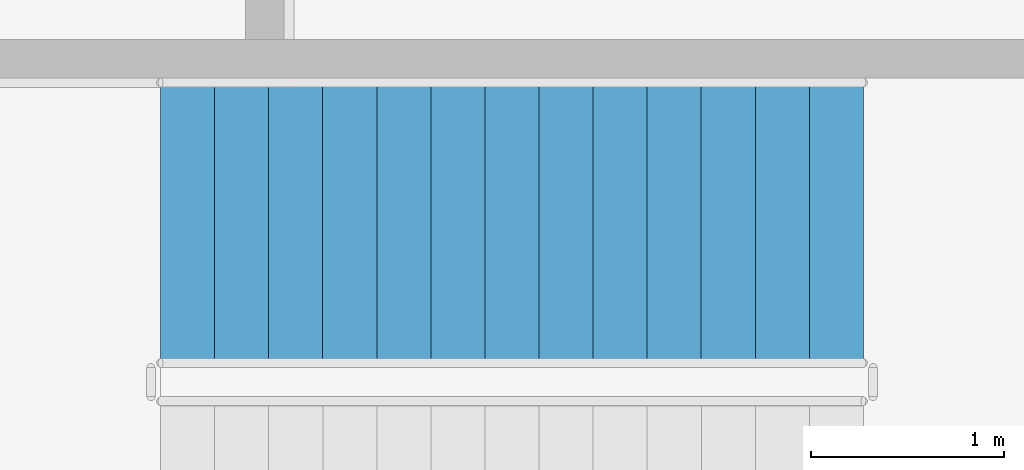
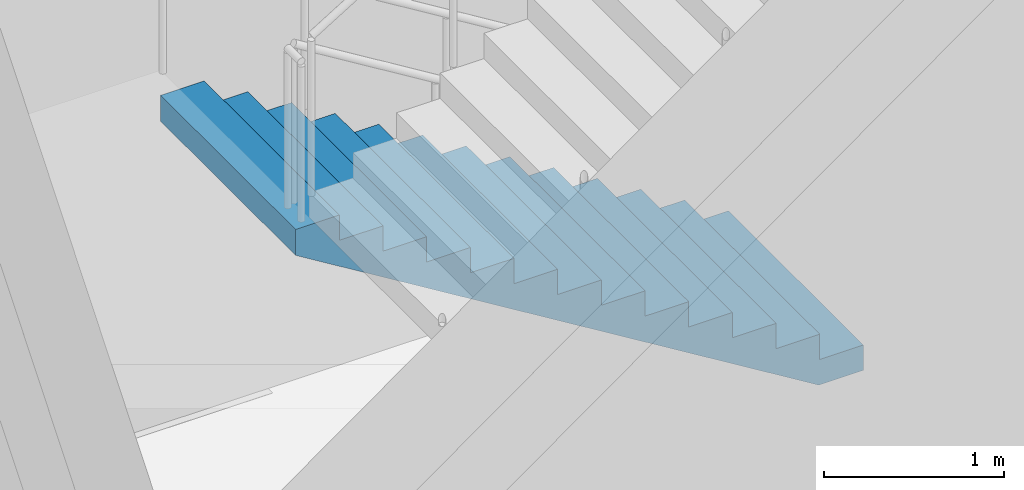
# One storey, part 64 of 91: 1 stair flight, 1 element without a shape of its own.
"""IFC4 building model written with IfcOpenShell, lengths in metres."""

from ifc_helpers import new_model, si_unit, direction, frame, origin, place, context, subcontext, project, spatial, triangles, material, type_object, element, aggregate, save


model = new_model("IFC4")

# Units and contexts
model_context = context("Model", 3, precision=1e-05, world=origin(), true_north=direction((0.0, 1.0)))
body_context = subcontext(model_context, "Body", "Model", "MODEL_VIEW")
ifc_project = project(units=[si_unit("LENGTHUNIT", "METRE"), si_unit("AREAUNIT", "SQUARE_METRE"), si_unit("VOLUMEUNIT", "CUBIC_METRE"), si_unit("PLANEANGLEUNIT", "RADIAN"), si_unit("MASSUNIT", "GRAM", prefix="KILO")], contexts=[model_context])

# Site, building, storey
site_placement = place(None, origin())
site = spatial("IfcSite", under=ifc_project, at=site_placement, CompositionType="ELEMENT")
building_placement = place(site_placement, origin())
building = spatial("IfcBuilding", under=site, at=building_placement, Name="Magnolia Steps Interchange", CompositionType="ELEMENT")
storey_placement = place(building_placement, origin())
storey = spatial("IfcBuildingStorey", under=building, at=storey_placement, Name="L00", CompositionType="ELEMENT", Elevation=0.0)

# Stair, stair flight
ifc_material_1 = material(Name="Concrete C40", Category="concrete")
stair_type = type_object("IfcStairType", Name="Exit stair 1500", PredefinedType="HALF_TURN_STAIR", material=ifc_material_1)
stair_placement = place(storey_placement, origin())
stair = element("IfcStair", 1, at=stair_placement, inside=storey, type_object=stair_type, Name="L00 Stair 26", PredefinedType="HALF_TURN_STAIR")
ifc_material_2 = material(Name="Concrete C40", Category="concrete")
stair_flight_type = type_object("IfcStairFlightType", Name="Exit stair flight", PredefinedType="STRAIGHT", material=ifc_material_2)
stair_flight_placement = place(storey_placement, frame((48.199951171875, 88.5, 0.0), z_axis=(0.0, 0.0, 1.0), x_axis=(-1.0, 0.0, 0.0)))
stair_flight = element("IfcStairFlight", 2, at=stair_flight_placement, type_object=stair_flight_type, Name="Stair 26 flight 1", NumberOfRisers=14, NumberOfTreads=13, PredefinedType="STRAIGHT", RiserHeight=0.171428571, TreadLength=0.28, context=body_context, shape_type="Tessellation", body=[
    triangles([(0.0, -0.75, 0.0), (0.287109375, -0.75, 0.0), (3.639892578125, -0.75, 2.052734375), (3.639892578125, -0.75, 2.228515625), (3.360107421875, -0.75, 2.228515625), (3.360107421875, -0.75, 2.05712890625), (3.080078125, -0.75, 2.05712890625), (3.080078125, -0.75, 1.8857421875), (2.800048828125, -0.75, 1.8857421875), (2.800048828125, -0.75, 1.71435546875), (2.52001953125, -0.75, 1.71435546875), (2.52001953125, -0.75, 1.54296875), (2.239990234375, -0.75, 1.54296875), (2.239990234375, -0.75, 1.371337890625), (1.9599609375, -0.75, 1.371337890625), (1.9599609375, -0.75, 1.199951171875), (1.679931640625, -0.75, 1.199951171875), (1.679931640625, -0.75, 1.028564453125), (1.39990234375, -0.75, 1.028564453125), (1.39990234375, -0.75, 0.857177734375), (1.1201171875, -0.75, 0.857177734375), (1.1201171875, -0.75, 0.685791015625), (0.840087890625, -0.75, 0.685791015625), (0.840087890625, -0.75, 0.514404296875), (0.56005859375, -0.75, 0.514404296875), (0.56005859375, -0.75, 0.3427734375), (0.280029296875, -0.75, 0.3427734375), (0.280029296875, -0.75, 0.17138671875), (0.0, -0.75, 0.17138671875), (0.0, 0.75, 0.0), (0.287109375, 0.75, 0.0), (3.639892578125, 0.75, 2.052734375), (3.639892578125, 0.75, 2.228515625), (3.360107421875, 0.75, 2.228515625), (3.360107421875, 0.75, 2.05712890625), (3.080078125, 0.75, 2.05712890625), (3.080078125, 0.75, 1.8857421875), (2.800048828125, 0.75, 1.8857421875), (2.800048828125, 0.75, 1.71435546875), (2.52001953125, 0.75, 1.71435546875), (2.52001953125, 0.75, 1.54296875), (2.239990234375, 0.75, 1.54296875), (2.239990234375, 0.75, 1.371337890625), (1.9599609375, 0.75, 1.371337890625), (1.9599609375, 0.75, 1.199951171875), (1.679931640625, 0.75, 1.199951171875), (1.679931640625, 0.75, 1.028564453125), (1.39990234375, 0.75, 1.028564453125), (1.39990234375, 0.75, 0.857177734375), (1.1201171875, 0.75, 0.857177734375), (1.1201171875, 0.75, 0.685791015625), (0.840087890625, 0.75, 0.685791015625), (0.840087890625, 0.75, 0.514404296875), (0.56005859375, 0.75, 0.514404296875), (0.56005859375, 0.75, 0.3427734375), (0.280029296875, 0.75, 0.3427734375), (0.280029296875, 0.75, 0.17138671875), (0.0, 0.75, 0.17138671875), (0.0, 0.0, 0.0), (0.0, 0.0, 0.0428466796875), (0.0, 0.0, 0.085693359375), (0.0, 0.0, 0.1285400390625), (0.0, 0.0, 0.17138671875), (0.0, -0.05, 0.0), (0.0, -0.05, 0.17138671875), (0.0, 0.05, 0.0), (0.0, 0.05, 0.17138671875), (0.046671549479166664, 0.0, 0.17138671875), (0.09334309895833333, 0.0, 0.17138671875), (0.1400146484375, 0.0, 0.17138671875), (0.18668619791666666, 0.0, 0.17138671875), (0.23335774739583334, 0.0, 0.17138671875), (0.280029296875, 0.0, 0.17138671875), (0.280029296875, -0.05, 0.17138671875), (0.280029296875, 0.05, 0.17138671875), (0.280029296875, 0.0, 0.2142333984375), (0.280029296875, 0.0, 0.257080078125), (0.280029296875, 0.0, 0.2999267578125), (0.280029296875, 0.0, 0.3427734375), (0.280029296875, -0.05, 0.3427734375), (0.280029296875, 0.05, 0.3427734375), (0.3267008463541667, 0.0, 0.3427734375), (0.3733723958333333, 0.0, 0.3427734375), (0.4200439453125, 0.0, 0.3427734375), (0.46671549479166663, 0.0, 0.3427734375), (0.5133870442708334, 0.0, 0.3427734375), (0.56005859375, 0.0, 0.3427734375), (0.56005859375, -0.05, 0.3427734375), (0.56005859375, 0.05, 0.3427734375), (0.56005859375, 0.0, 0.38568115234375), (0.56005859375, 0.0, 0.4285888671875), (0.56005859375, 0.0, 0.47149658203125), (0.56005859375, 0.0, 0.514404296875), (0.56005859375, -0.05, 0.514404296875), (0.56005859375, 0.05, 0.514404296875), (0.6067301432291666, 0.0, 0.514404296875), (0.6534016927083334, 0.0, 0.514404296875), (0.7000732421875, 0.0, 0.514404296875), (0.7467447916666666, 0.0, 0.514404296875), (0.7934163411458334, 0.0, 0.514404296875), (0.840087890625, 0.0, 0.514404296875), (0.840087890625, -0.05, 0.514404296875), (0.840087890625, 0.05, 0.514404296875), (0.840087890625, 0.0, 0.5572509765625), (0.840087890625, 0.0, 0.60009765625), (0.840087890625, 0.0, 0.6429443359375), (0.840087890625, 0.0, 0.685791015625), (0.840087890625, -0.05, 0.685791015625), (0.840087890625, 0.05, 0.685791015625), (0.8867594401041666, 0.0, 0.685791015625), (0.9334309895833334, 0.0, 0.685791015625), (0.9801025390625, 0.0, 0.685791015625), (1.0267740885416667, 0.0, 0.685791015625), (1.0734456380208333, 0.0, 0.685791015625), (1.1201171875, 0.0, 0.685791015625), (1.1201171875, -0.05, 0.685791015625), (1.1201171875, 0.05, 0.685791015625), (1.1201171875, 0.0, 0.7286376953125), (1.1201171875, 0.0, 0.771484375), (1.1201171875, 0.0, 0.8143310546875), (1.1201171875, 0.0, 0.857177734375), (1.1201171875, -0.05, 0.857177734375), (1.1201171875, 0.05, 0.857177734375), (1.1900634765625, 0.0, 0.857177734375), (1.260009765625, 0.0, 0.857177734375), (1.3299560546875, 0.0, 0.857177734375), (1.39990234375, 0.0, 0.857177734375), (1.39990234375, -0.05, 0.857177734375), (1.39990234375, 0.05, 0.857177734375), (1.39990234375, 0.0, 0.9000244140625), (1.39990234375, 0.0, 0.94287109375), (1.39990234375, 0.0, 0.9857177734375), (1.39990234375, 0.0, 1.028564453125), (1.39990234375, -0.05, 1.028564453125), (1.39990234375, 0.05, 1.028564453125), (1.4465738932291667, 0.0, 1.028564453125), (1.4932454427083333, 0.0, 1.028564453125), (1.5399169921875, 0.0, 1.028564453125), (1.5865885416666667, 0.0, 1.028564453125), (1.6332600911458333, 0.0, 1.028564453125), (1.679931640625, 0.0, 1.028564453125), (1.679931640625, -0.05, 1.028564453125), (1.679931640625, 0.05, 1.028564453125), (1.679931640625, 0.0, 1.0714111328125), (1.679931640625, 0.0, 1.1142578125), (1.679931640625, 0.0, 1.1571044921875), (1.679931640625, 0.0, 1.199951171875), (1.679931640625, -0.05, 1.199951171875), (1.679931640625, 0.05, 1.199951171875), (1.7266031901041667, 0.0, 1.199951171875), (1.7732747395833333, 0.0, 1.199951171875), (1.8199462890625, 0.0, 1.199951171875), (1.8666178385416667, 0.0, 1.199951171875), (1.9132893880208333, 0.0, 1.199951171875), (1.9599609375, 0.0, 1.199951171875), (1.9599609375, -0.05, 1.199951171875), (1.9599609375, 0.05, 1.199951171875), (1.9599609375, 0.0, 1.2427978515625), (1.9599609375, 0.0, 1.28564453125), (1.9599609375, 0.0, 1.3284912109375), (1.9599609375, 0.0, 1.371337890625), (1.9599609375, -0.05, 1.371337890625), (1.9599609375, 0.05, 1.371337890625), (2.0066324869791665, 0.0, 1.371337890625), (2.0533040364583335, 0.0, 1.371337890625), (2.0999755859375, 0.0, 1.371337890625), (2.1466471354166665, 0.0, 1.371337890625), (2.1933186848958335, 0.0, 1.371337890625), (2.239990234375, 0.0, 1.371337890625), (2.239990234375, -0.05, 1.371337890625), (2.239990234375, 0.05, 1.371337890625), (2.239990234375, 0.0, 1.41424560546875), (2.239990234375, 0.0, 1.4571533203125), (2.239990234375, 0.0, 1.50006103515625), (2.239990234375, 0.0, 1.54296875), (2.239990234375, -0.05, 1.54296875), (2.239990234375, 0.05, 1.54296875), (2.2866617838541665, 0.0, 1.54296875), (2.3333333333333335, 0.0, 1.54296875), (2.3800048828125, 0.0, 1.54296875), (2.4266764322916665, 0.0, 1.54296875), (2.4733479817708335, 0.0, 1.54296875), (2.52001953125, 0.0, 1.54296875), (2.52001953125, -0.05, 1.54296875), (2.52001953125, 0.05, 1.54296875), (2.52001953125, 0.0, 1.5858154296875), (2.52001953125, 0.0, 1.628662109375), (2.52001953125, 0.0, 1.6715087890625), (2.52001953125, 0.0, 1.71435546875), (2.52001953125, -0.05, 1.71435546875), (2.52001953125, 0.05, 1.71435546875), (2.5666910807291665, 0.0, 1.71435546875), (2.6133626302083335, 0.0, 1.71435546875), (2.6600341796875, 0.0, 1.71435546875), (2.7067057291666665, 0.0, 1.71435546875), (2.7533772786458335, 0.0, 1.71435546875), (2.800048828125, 0.0, 1.71435546875), (2.800048828125, -0.05, 1.71435546875), (2.800048828125, 0.05, 1.71435546875), (2.800048828125, 0.0, 1.7572021484375), (2.800048828125, 0.0, 1.800048828125), (2.800048828125, 0.0, 1.8428955078125), (2.800048828125, 0.0, 1.8857421875), (2.800048828125, -0.05, 1.8857421875), (2.800048828125, 0.05, 1.8857421875), (2.8467203776041665, 0.0, 1.8857421875), (2.8933919270833335, 0.0, 1.8857421875), (2.9400634765625, 0.0, 1.8857421875), (2.9867350260416665, 0.0, 1.8857421875), (3.0334065755208335, 0.0, 1.8857421875), (3.080078125, 0.0, 1.8857421875), (3.080078125, -0.05, 1.8857421875), (3.080078125, 0.05, 1.8857421875), (3.080078125, 0.0, 1.9285888671875), (3.080078125, 0.0, 1.971435546875), (3.080078125, 0.0, 2.0142822265625), (3.080078125, 0.0, 2.05712890625), (3.080078125, -0.05, 2.05712890625), (3.080078125, 0.05, 2.05712890625), (3.1267496744791665, 0.0, 2.05712890625), (3.1734212239583335, 0.0, 2.05712890625), (3.2200927734375, 0.0, 2.05712890625), (3.2667643229166665, 0.0, 2.05712890625), (3.3134358723958335, 0.0, 2.05712890625), (3.360107421875, 0.0, 2.05712890625), (3.360107421875, -0.05, 2.05712890625), (3.360107421875, 0.05, 2.05712890625), (3.360107421875, 0.0, 2.0999755859375), (3.360107421875, 0.0, 2.142822265625), (3.360107421875, 0.0, 2.1856689453125), (3.360107421875, 0.0, 2.228515625), (3.360107421875, -0.05, 2.228515625), (3.360107421875, 0.05, 2.228515625), (3.4300537109375, 0.0, 2.228515625), (3.5, 0.0, 2.228515625), (3.5699462890625, 0.0, 2.228515625), (3.639892578125, 0.0, 2.228515625), (3.639892578125, -0.05, 2.228515625), (3.639892578125, 0.05, 2.228515625), (3.639892578125, 0.0, 2.1845703125), (3.639892578125, 0.0, 2.140625), (3.639892578125, 0.0, 2.0966796875), (3.639892578125, 0.0, 2.052734375), (3.639892578125, -0.05, 2.052734375), (3.639892578125, 0.05, 2.052734375), (3.582085971174569, 0.0, 2.0173424030172415), (3.524279364224138, 0.0, 1.9819504310344827), (3.466472757273707, 0.0, 1.9465584590517242), (3.408666150323276, 0.0, 1.9111664870689655), (3.3508595433728448, 0.0, 1.8757745150862069), (3.2930529364224137, 0.0, 1.8403825431034484), (3.2352463294719827, 0.0, 1.8049905711206897), (3.1774397225215516, 0.0, 1.769598599137931), (3.1196331155711206, 0.0, 1.7342066271551724), (3.0618265086206895, 0.0, 1.6988146551724137), (3.004019901670259, 0.0, 1.6634226831896552), (2.9462132947198274, 0.0, 1.6280307112068966), (2.888406687769397, 0.0, 1.592638739224138), (2.8306000808189653, 0.0, 1.5572467672413794), (2.7727934738685347, 0.0, 1.5218547952586206), (2.714986866918103, 0.0, 1.486462823275862), (2.6571802599676726, 0.0, 1.4510708512931034), (2.599373653017241, 0.0, 1.4156788793103448), (2.5415670460668105, 0.0, 1.3802869073275863), (2.483760439116379, 0.0, 1.3448949353448276), (2.4259538321659484, 0.0, 1.309502963362069), (2.3681472252155173, 0.0, 1.2741109913793105), (2.3103406182650863, 0.0, 1.2387190193965516), (2.2525340113146552, 0.0, 1.2033270474137931), (2.194727404364224, 0.0, 1.1679350754310345), (2.136920797413793, 0.0, 1.1325431034482758), (2.079114190463362, 0.0, 1.0971511314655173), (2.021307583512931, 0.0, 1.0617591594827587), (1.9635009765625, 0.0, 1.0263671875), (1.905694369612069, 0.0, 0.9909752155172413), (1.847887762661638, 0.0, 0.9555832435344827), (1.7900811557112069, 0.0, 0.9201912715517242), (1.7322745487607758, 0.0, 0.8847992995689655), (1.6744679418103448, 0.0, 0.8494073275862069), (1.6166613348599137, 0.0, 0.8140153556034482), (1.5588547279094827, 0.0, 0.7786233836206897), (1.5010481209590516, 0.0, 0.743231411637931), (1.4432415140086206, 0.0, 0.7078394396551724), (1.3854349070581895, 0.0, 0.6724474676724137), (1.3276283001077585, 0.0, 0.6370554956896552), (1.2698216931573274, 0.0, 0.6016635237068966), (1.2120150862068964, 0.0, 0.5662715517241379), (1.1542084792564653, 0.0, 0.5308795797413792), (1.0964018723060347, 0.0, 0.4954876077586208), (1.0385952653556036, 0.0, 0.4600956357758621), (0.9807886584051726, 0.0, 0.4247036637931034), (0.9229820514547415, 0.0, 0.38931169181034475), (0.8651754445043105, 0.0, 0.3539197198275863), (0.8073688375538794, 0.0, 0.3185277478448276), (0.7495622306034484, 0.0, 0.28313577586206895), (0.6917556236530173, 0.0, 0.24774380387931028), (0.6339490167025863, 0.0, 0.21235183189655182), (0.5761424097521552, 0.0, 0.17695985991379315), (0.5183358028017242, 0.0, 0.14156788793103448), (0.46052919585129315, 0.0, 0.1061759159482758), (0.4027225889008621, 0.0, 0.07078394396551735), (0.34491598195043105, 0.0, 0.03539197198275845), (0.287109375, 0.0, 0.0), (0.287109375, -0.05, 0.0), (0.287109375, 0.05, 0.0), (0.2392578125, 0.0, 0.0), (0.19140625, 0.0, 0.0), (0.1435546875, 0.0, 0.0), (0.095703125, 0.0, 0.0), (0.0478515625, 0.0, 0.0)], [[1, 2, 3], [3, 4, 5], [3, 5, 6], [3, 6, 7], [3, 7, 8], [8, 9, 10], [3, 8, 10], [10, 11, 12], [3, 10, 12], [12, 13, 14], [3, 12, 14], [14, 15, 16], [3, 14, 16], [16, 17, 18], [3, 16, 18], [18, 19, 20], [3, 18, 20], [20, 21, 22], [3, 20, 22], [22, 23, 24], [3, 22, 24], [24, 25, 26], [3, 24, 26], [26, 27, 28], [3, 26, 28], [1, 3, 28], [28, 29, 1], [30, 32, 31], [32, 34, 33], [32, 35, 34], [32, 36, 35], [32, 37, 36], [37, 39, 38], [32, 39, 37], [39, 41, 40], [32, 41, 39], [41, 43, 42], [32, 43, 41], [43, 45, 44], [32, 45, 43], [45, 47, 46], [32, 47, 45], [47, 49, 48], [32, 49, 47], [49, 51, 50], [32, 51, 49], [51, 53, 52], [32, 53, 51], [53, 55, 54], [32, 55, 53], [55, 57, 56], [32, 57, 55], [30, 57, 32], [57, 30, 58], [1, 29, 65], [1, 65, 64], [64, 60, 59], [64, 61, 60], [64, 65, 61], [65, 62, 61], [65, 63, 62], [30, 67, 58], [30, 66, 67], [66, 59, 60], [66, 60, 61], [66, 61, 67], [67, 61, 62], [67, 62, 63], [29, 28, 74], [29, 74, 65], [65, 68, 63], [65, 69, 68], [65, 70, 69], [65, 74, 70], [74, 71, 70], [74, 72, 71], [74, 73, 72], [58, 75, 57], [58, 67, 75], [67, 63, 68], [67, 68, 69], [67, 69, 70], [67, 70, 75], [75, 70, 71], [75, 71, 72], [75, 72, 73], [28, 27, 80], [28, 80, 74], [74, 76, 73], [74, 77, 76], [74, 80, 77], [80, 78, 77], [80, 79, 78], [57, 81, 56], [57, 75, 81], [75, 73, 76], [75, 76, 77], [75, 77, 81], [81, 77, 78], [81, 78, 79], [27, 26, 88], [27, 88, 80], [80, 82, 79], [80, 83, 82], [80, 84, 83], [80, 88, 84], [88, 85, 84], [88, 86, 85], [88, 87, 86], [56, 89, 55], [56, 81, 89], [81, 79, 82], [81, 82, 83], [81, 83, 84], [81, 84, 89], [89, 84, 85], [89, 85, 86], [89, 86, 87], [26, 25, 94], [26, 94, 88], [88, 90, 87], [88, 91, 90], [88, 94, 91], [94, 92, 91], [94, 93, 92], [55, 95, 54], [55, 89, 95], [89, 87, 90], [89, 90, 91], [89, 91, 95], [95, 91, 92], [95, 92, 93], [25, 24, 102], [25, 102, 94], [94, 96, 93], [94, 97, 96], [94, 98, 97], [94, 102, 98], [102, 99, 98], [102, 100, 99], [102, 101, 100], [54, 103, 53], [54, 95, 103], [95, 93, 96], [95, 96, 97], [95, 97, 98], [95, 98, 103], [103, 98, 99], [103, 99, 100], [103, 100, 101], [24, 23, 108], [24, 108, 102], [102, 104, 101], [102, 105, 104], [102, 108, 105], [108, 106, 105], [108, 107, 106], [53, 109, 52], [53, 103, 109], [103, 101, 104], [103, 104, 105], [103, 105, 109], [109, 105, 106], [109, 106, 107], [23, 22, 116], [23, 116, 108], [108, 110, 107], [108, 111, 110], [108, 112, 111], [108, 116, 112], [116, 113, 112], [116, 114, 113], [116, 115, 114], [52, 117, 51], [52, 109, 117], [109, 107, 110], [109, 110, 111], [109, 111, 112], [109, 112, 117], [117, 112, 113], [117, 113, 114], [117, 114, 115], [22, 21, 122], [22, 122, 116], [116, 118, 115], [116, 119, 118], [116, 122, 119], [122, 120, 119], [122, 121, 120], [51, 123, 50], [51, 117, 123], [117, 115, 118], [117, 118, 119], [117, 119, 123], [123, 119, 120], [123, 120, 121], [21, 20, 128], [21, 128, 122], [122, 124, 121], [122, 125, 124], [122, 128, 125], [128, 126, 125], [128, 127, 126], [50, 129, 49], [50, 123, 129], [123, 121, 124], [123, 124, 125], [123, 125, 129], [129, 125, 126], [129, 126, 127], [20, 19, 134], [20, 134, 128], [128, 130, 127], [128, 131, 130], [128, 134, 131], [134, 132, 131], [134, 133, 132], [49, 135, 48], [49, 129, 135], [129, 127, 130], [129, 130, 131], [129, 131, 135], [135, 131, 132], [135, 132, 133], [19, 18, 142], [19, 142, 134], [134, 136, 133], [134, 137, 136], [134, 138, 137], [134, 142, 138], [142, 139, 138], [142, 140, 139], [142, 141, 140], [48, 143, 47], [48, 135, 143], [135, 133, 136], [135, 136, 137], [135, 137, 138], [135, 138, 143], [143, 138, 139], [143, 139, 140], [143, 140, 141], [18, 17, 148], [18, 148, 142], [142, 144, 141], [142, 145, 144], [142, 148, 145], [148, 146, 145], [148, 147, 146], [47, 149, 46], [47, 143, 149], [143, 141, 144], [143, 144, 145], [143, 145, 149], [149, 145, 146], [149, 146, 147], [17, 16, 156], [17, 156, 148], [148, 150, 147], [148, 151, 150], [148, 152, 151], [148, 156, 152], [156, 153, 152], [156, 154, 153], [156, 155, 154], [46, 157, 45], [46, 149, 157], [149, 147, 150], [149, 150, 151], [149, 151, 152], [149, 152, 157], [157, 152, 153], [157, 153, 154], [157, 154, 155], [16, 15, 162], [16, 162, 156], [156, 158, 155], [156, 159, 158], [156, 162, 159], [162, 160, 159], [162, 161, 160], [45, 163, 44], [45, 157, 163], [157, 155, 158], [157, 158, 159], [157, 159, 163], [163, 159, 160], [163, 160, 161], [15, 14, 170], [15, 170, 162], [162, 164, 161], [162, 165, 164], [162, 166, 165], [162, 170, 166], [170, 167, 166], [170, 168, 167], [170, 169, 168], [44, 171, 43], [44, 163, 171], [163, 161, 164], [163, 164, 165], [163, 165, 166], [163, 166, 171], [171, 166, 167], [171, 167, 168], [171, 168, 169], [14, 13, 176], [14, 176, 170], [170, 172, 169], [170, 173, 172], [170, 176, 173], [176, 174, 173], [176, 175, 174], [43, 177, 42], [43, 171, 177], [171, 169, 172], [171, 172, 173], [171, 173, 177], [177, 173, 174], [177, 174, 175], [13, 12, 184], [13, 184, 176], [176, 178, 175], [176, 179, 178], [176, 180, 179], [176, 184, 180], [184, 181, 180], [184, 182, 181], [184, 183, 182], [42, 185, 41], [42, 177, 185], [177, 175, 178], [177, 178, 179], [177, 179, 180], [177, 180, 185], [185, 180, 181], [185, 181, 182], [185, 182, 183], [12, 11, 190], [12, 190, 184], [184, 186, 183], [184, 187, 186], [184, 190, 187], [190, 188, 187], [190, 189, 188], [41, 191, 40], [41, 185, 191], [185, 183, 186], [185, 186, 187], [185, 187, 191], [191, 187, 188], [191, 188, 189], [11, 10, 198], [11, 198, 190], [190, 192, 189], [190, 193, 192], [190, 194, 193], [190, 198, 194], [198, 195, 194], [198, 196, 195], [198, 197, 196], [40, 199, 39], [40, 191, 199], [191, 189, 192], [191, 192, 193], [191, 193, 194], [191, 194, 199], [199, 194, 195], [199, 195, 196], [199, 196, 197], [10, 9, 204], [10, 204, 198], [198, 200, 197], [198, 201, 200], [198, 204, 201], [204, 202, 201], [204, 203, 202], [39, 205, 38], [39, 199, 205], [199, 197, 200], [199, 200, 201], [199, 201, 205], [205, 201, 202], [205, 202, 203], [9, 8, 212], [9, 212, 204], [204, 206, 203], [204, 207, 206], [204, 208, 207], [204, 212, 208], [212, 209, 208], [212, 210, 209], [212, 211, 210], [38, 213, 37], [38, 205, 213], [205, 203, 206], [205, 206, 207], [205, 207, 208], [205, 208, 213], [213, 208, 209], [213, 209, 210], [213, 210, 211], [8, 7, 218], [8, 218, 212], [212, 214, 211], [212, 215, 214], [212, 218, 215], [218, 216, 215], [218, 217, 216], [37, 219, 36], [37, 213, 219], [213, 211, 214], [213, 214, 215], [213, 215, 219], [219, 215, 216], [219, 216, 217], [7, 6, 226], [7, 226, 218], [218, 220, 217], [218, 221, 220], [218, 222, 221], [218, 226, 222], [226, 223, 222], [226, 224, 223], [226, 225, 224], [36, 227, 35], [36, 219, 227], [219, 217, 220], [219, 220, 221], [219, 221, 222], [219, 222, 227], [227, 222, 223], [227, 223, 224], [227, 224, 225], [6, 5, 232], [6, 232, 226], [226, 228, 225], [226, 229, 228], [226, 232, 229], [232, 230, 229], [232, 231, 230], [35, 233, 34], [35, 227, 233], [227, 225, 228], [227, 228, 229], [227, 229, 233], [233, 229, 230], [233, 230, 231], [5, 4, 238], [5, 238, 232], [232, 234, 231], [232, 235, 234], [232, 238, 235], [238, 236, 235], [238, 237, 236], [34, 239, 33], [34, 233, 239], [233, 231, 234], [233, 234, 235], [233, 235, 239], [239, 235, 236], [239, 236, 237], [4, 3, 244], [4, 244, 238], [238, 240, 237], [238, 241, 240], [238, 244, 241], [244, 242, 241], [244, 243, 242], [33, 245, 32], [33, 239, 245], [239, 237, 240], [239, 240, 241], [239, 241, 245], [245, 241, 242], [245, 242, 243], [3, 2, 304], [3, 304, 244], [244, 246, 243], [244, 247, 246], [244, 248, 247], [244, 249, 248], [244, 250, 249], [244, 251, 250], [244, 252, 251], [244, 253, 252], [244, 254, 253], [244, 255, 254], [244, 256, 255], [244, 257, 256], [244, 258, 257], [244, 259, 258], [244, 260, 259], [244, 261, 260], [244, 262, 261], [244, 263, 262], [244, 264, 263], [244, 265, 264], [244, 266, 265], [244, 267, 266], [244, 268, 267], [244, 269, 268], [244, 270, 269], [244, 271, 270], [244, 272, 271], [244, 273, 272], [244, 274, 273], [244, 304, 274], [304, 275, 274], [304, 276, 275], [304, 277, 276], [304, 278, 277], [304, 279, 278], [304, 280, 279], [304, 281, 280], [304, 282, 281], [304, 283, 282], [304, 284, 283], [304, 285, 284], [304, 286, 285], [304, 287, 286], [304, 288, 287], [304, 289, 288], [304, 290, 289], [304, 291, 290], [304, 292, 291], [304, 293, 292], [304, 294, 293], [304, 295, 294], [304, 296, 295], [304, 297, 296], [304, 298, 297], [304, 299, 298], [304, 300, 299], [304, 301, 300], [304, 302, 301], [304, 303, 302], [32, 305, 31], [32, 245, 305], [245, 243, 246], [245, 246, 247], [245, 247, 248], [245, 248, 249], [245, 249, 250], [245, 250, 251], [245, 251, 252], [245, 252, 253], [245, 253, 254], [245, 254, 255], [245, 255, 256], [245, 256, 257], [245, 257, 258], [245, 258, 259], [245, 259, 260], [245, 260, 261], [245, 261, 262], [245, 262, 263], [245, 263, 264], [245, 264, 265], [245, 265, 266], [245, 266, 267], [245, 267, 268], [245, 268, 269], [245, 269, 270], [245, 270, 271], [245, 271, 272], [245, 272, 273], [245, 273, 274], [245, 274, 305], [305, 274, 275], [305, 275, 276], [305, 276, 277], [305, 277, 278], [305, 278, 279], [305, 279, 280], [305, 280, 281], [305, 281, 282], [305, 282, 283], [305, 283, 284], [305, 284, 285], [305, 285, 286], [305, 286, 287], [305, 287, 288], [305, 288, 289], [305, 289, 290], [305, 290, 291], [305, 291, 292], [305, 292, 293], [305, 293, 294], [305, 294, 295], [305, 295, 296], [305, 296, 297], [305, 297, 298], [305, 298, 299], [305, 299, 300], [305, 300, 301], [305, 301, 302], [305, 302, 303], [2, 1, 64], [2, 64, 304], [304, 306, 303], [304, 307, 306], [304, 308, 307], [304, 64, 308], [64, 309, 308], [64, 310, 309], [64, 59, 310], [31, 66, 30], [31, 305, 66], [305, 303, 306], [305, 306, 307], [305, 307, 308], [305, 308, 66], [66, 308, 309], [66, 309, 310], [66, 310, 59]], closed=True),
])
aggregate(stair, [stair_flight])

save(model, "model.ifc")
